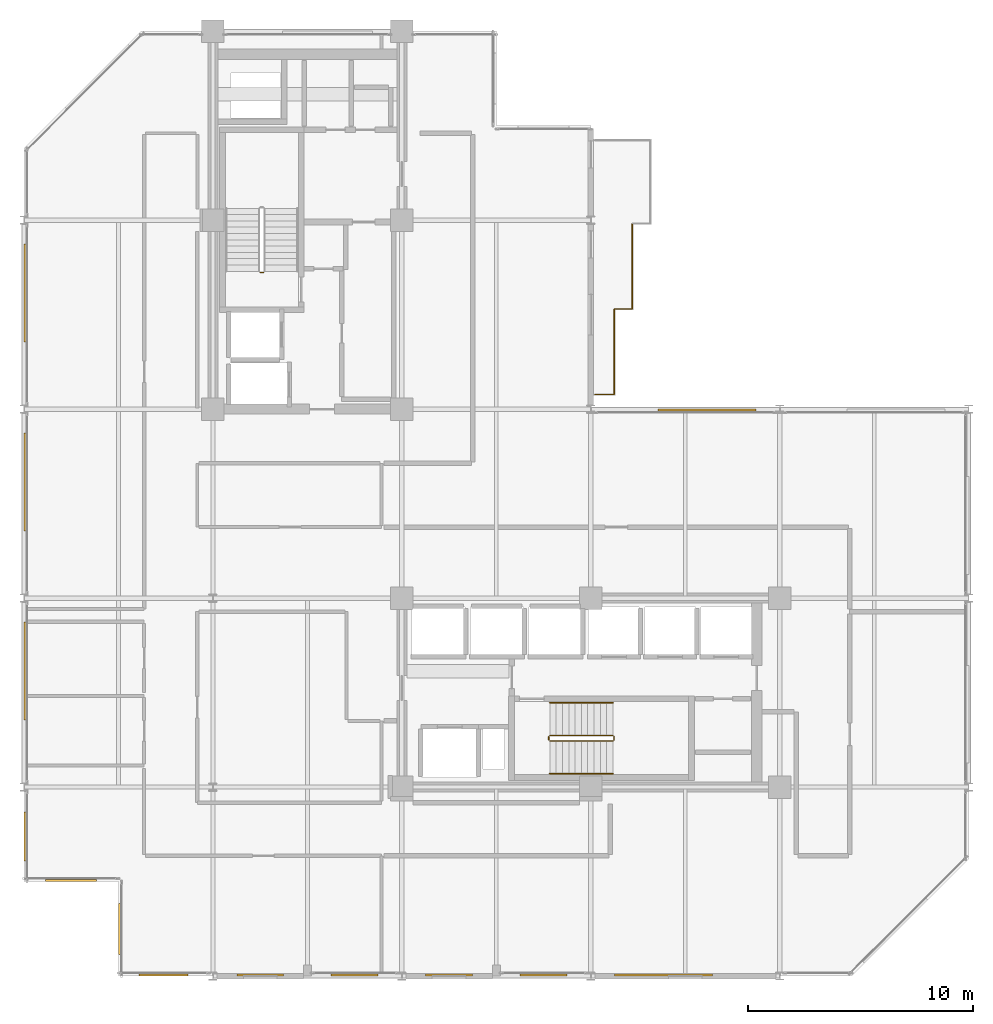
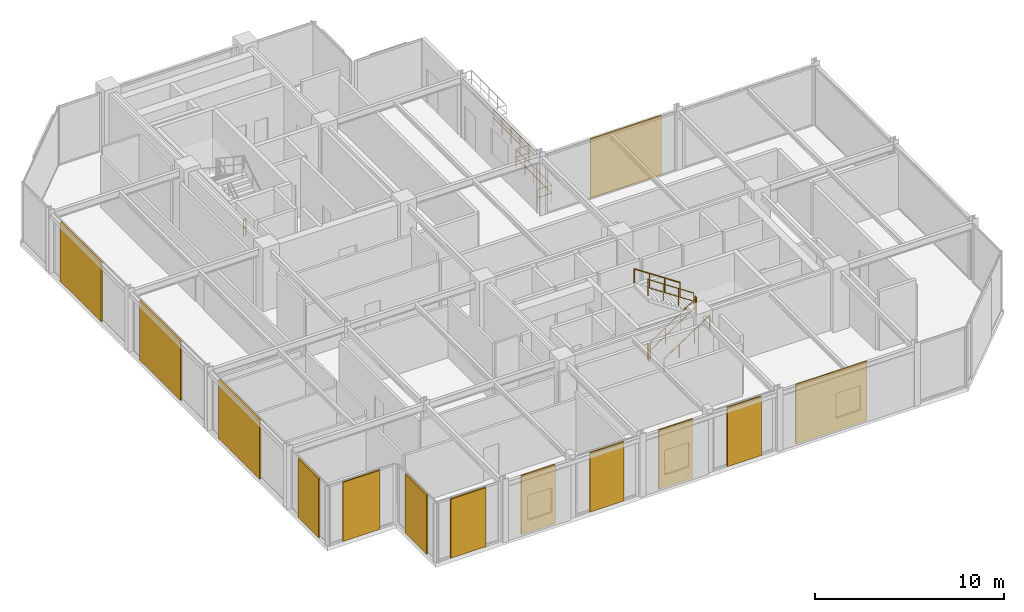
# One storey, part 23 of 25: 13 coverings, 11 railings.
"""IFC4 building model written with IfcOpenShell, lengths in metres."""

import ifcopenshell
import ifcopenshell.guid

model = None  # the IFC model being written
_history = None  # IfcOwnerHistory: only IFC2X3 demands one
_inside = {}  # id of a spatial element -> (the spatial element, [elements in it])
_under = {}  # id of a project, library or spatial element -> (it, [spatial elements below it])
_declared = {}  # id of a project -> (the project, [libraries it declares])
_typed = {}  # id of a type object -> (the type object, [elements of that type])
_made_of = {}  # id of a material, layer set ... -> (it, [elements and type objects made of it])


def new_model(schema):
    """Start an empty IFC model of exactly this schema.

    Asked for "IFC4X3", IfcOpenShell would pick the latest addendum, in which some entities
    have other attributes; the version numbers below select the first issue.
    IFC2X3 requires an IfcOwnerHistory on every rooted entity: one is made here for all.
    """
    global model, _history
    if schema == "IFC4X3":
        model = ifcopenshell.file(schema_version=(4, 3, 0, 0))
    else:
        model = ifcopenshell.file(schema=schema)
    _inside.clear()
    _under.clear()
    _declared.clear()
    _typed.clear()
    _made_of.clear()
    _history = None
    if model.schema == "IFC2X3":
        org = make("IfcOrganization", Name="unknown")
        user = make(
            "IfcPersonAndOrganization",
            ThePerson=make("IfcPerson", FamilyName="unknown"),
            TheOrganization=org,
        )
        app = make(
            "IfcApplication",
            ApplicationDeveloper=org,
            Version="unknown",
            ApplicationFullName="unknown",
            ApplicationIdentifier="unknown",
        )
        _history = make(
            "IfcOwnerHistory",
            OwningUser=user,
            OwningApplication=app,
            ChangeAction="ADDED",
            CreationDate=0,
        )
    return model


def make(cls, **values):
    """One entity of the class cls with the attributes given. An attribute that is None is left unset."""
    return model.create_entity(
        cls, **{name: value for name, value in values.items() if value is not None}
    )


def rooted(cls, **values):
    """An entity with a GlobalId (a new one), such as an element, a storey or a relation."""
    return make(cls, GlobalId=ifcopenshell.guid.new(), OwnerHistory=_history, **values)


def si_unit(unit_type, name, prefix=None):
    """IfcSIUnit, for example si_unit("LENGTHUNIT", "METRE", prefix="MILLI")."""
    return make("IfcSIUnit", UnitType=unit_type, Prefix=prefix, Name=name)


def assignment(units):
    """IfcUnitAssignment: the units of a project."""
    return None if units is None else make("IfcUnitAssignment", Units=units)


def point(xyz):
    """IfcCartesianPoint."""
    return None if xyz is None else make("IfcCartesianPoint", Coordinates=xyz)


def direction(xyz):
    """IfcDirection."""
    return None if xyz is None else make("IfcDirection", DirectionRatios=xyz)


def frame(location, z_axis=None, x_axis=None):
    """IfcAxis2Placement3D, a coordinate frame: its origin and axes. An axis left out is left unset."""
    return make(
        "IfcAxis2Placement3D",
        Location=point(location),
        Axis=direction(z_axis),
        RefDirection=direction(x_axis),
    )


def frame_2d(location, x_axis=None):
    """IfcAxis2Placement2D, a coordinate frame in the plane: its origin and x axis."""
    return make(
        "IfcAxis2Placement2D", Location=point(location), RefDirection=direction(x_axis)
    )


def origin():
    """The frame at (0, 0, 0) with its axes left unset."""
    return frame((0.0, 0.0, 0.0))


def origin_2d():
    """The frame at (0, 0) in the plane with its x axis left unset."""
    return frame_2d((0.0, 0.0))


def place(relative_to, where):
    """IfcLocalPlacement: puts the frame where relative to a parent placement (None: the world)."""
    return make(
        "IfcLocalPlacement", PlacementRelTo=relative_to, RelativePlacement=where
    )


def context(
    kind, dimensions, precision=None, world=None, true_north=None, identifier=None
):
    """IfcGeometricRepresentationContext, for example the 3D "Model" context."""
    return make(
        "IfcGeometricRepresentationContext",
        ContextIdentifier=identifier,
        ContextType=kind,
        CoordinateSpaceDimension=dimensions,
        Precision=precision,
        WorldCoordinateSystem=world,
        TrueNorth=true_north,
    )


def subcontext(parent, identifier, kind, view, scale=None):
    """IfcGeometricRepresentationSubContext, for example "Body" below "Model"."""
    return make(
        "IfcGeometricRepresentationSubContext",
        ContextIdentifier=identifier,
        ContextType=kind,
        ParentContext=parent,
        TargetScale=scale,
        TargetView=view,
    )


def project(units=None, contexts=None):
    """IfcProject with its units and contexts."""
    return rooted(
        "IfcProject",
        Name="project",
        RepresentationContexts=contexts,
        UnitsInContext=assignment(units),
    )


def spatial(cls, under=None, at=None, **own):
    """A site, building, storey or space (cls), placed at a placement, below another one or the project."""
    s = rooted(cls, ObjectPlacement=at, **own)
    if under is not None:
        _under.setdefault(under.id(), (under, []))[1].append(s)
    return s


def profile(cls, at=None, kind="AREA", **sizes):
    """A parametric profile (cls). Its sizes go by their IFC names, for example OverallWidth=200.0."""
    return make(cls, ProfileType=kind, Position=at, **sizes)


def rectangle(**sizes):
    """IfcRectangleProfileDef."""
    return profile("IfcRectangleProfileDef", **sizes)


def circle(**sizes):
    """IfcCircleProfileDef."""
    return profile("IfcCircleProfileDef", **sizes)


def extrude(swept, where, along, depth):
    """IfcExtrudedAreaSolid: the profile swept, set in the frame where, extruded along a direction by depth."""
    return make(
        "IfcExtrudedAreaSolid",
        SweptArea=swept,
        Position=where,
        ExtrudedDirection=direction(along),
        Depth=depth,
    )


def shape(context_of_items, identifier, shape_type, items):
    """IfcShapeRepresentation: the items that make up one representation, for example the "Body"."""
    return make(
        "IfcShapeRepresentation",
        ContextOfItems=context_of_items,
        RepresentationIdentifier=identifier,
        RepresentationType=shape_type,
        Items=items,
    )


def material(Name=None, Category=None):
    """IfcMaterial."""
    return make("IfcMaterial", Name=Name, Category=Category)


def layer(
    of_material, thickness, ventilated=None, Name=None, Category=None, Priority=None
):
    """IfcMaterialLayer: one layer of a wall or slab, of a material (None: an air gap)."""
    return make(
        "IfcMaterialLayer",
        Material=of_material,
        LayerThickness=thickness,
        IsVentilated=ventilated,
        Name=Name,
        Category=Category,
        Priority=Priority,
    )


def layer_set(layers, Name=None):
    """IfcMaterialLayerSet."""
    return make("IfcMaterialLayerSet", MaterialLayers=layers, LayerSetName=Name)


def made_of(thing, what):
    """Note that an element or type object is made of a material, layer set ...; save() writes the relation."""
    if what is not None:
        _made_of.setdefault(what.id(), (what, []))[1].append(thing)
    return thing


def type_object(cls, material=None, **own):
    """A type object (cls), such as IfcWallType, which elements share."""
    return made_of(rooted(cls, **own), material)


def element(
    cls,
    number,
    at=None,
    inside=None,
    cuts=None,
    type_object=None,
    material=None,
    context=None,
    identifier="Body",
    shape_type=None,
    held_by="IfcProductDefinitionShape",
    body=None,
    shapes=None,
    **own,
):
    """One element of the class cls, such as IfcWall. Its Tag is "e" and its number.

    at: its placement. inside: the storey or other place that contains it. cuts: it is an
    opening in that element (IfcRelVoidsElement). A single representation is given by context,
    identifier, shape_type and body (its items); several are given by shapes. held_by: the class
    of the entity that holds the representations. save() writes the other relations.
    """
    e = rooted(cls, Tag="e%d" % number, ObjectPlacement=at, **own)
    if body is not None:
        shapes = [shape(context, identifier, shape_type, body)]
    if shapes is not None:
        e.Representation = make(held_by, Representations=shapes)
    if inside is not None:
        _inside.setdefault(inside.id(), (inside, []))[1].append(e)
    if cuts is not None:
        rooted(
            "IfcRelVoidsElement", RelatingBuildingElement=cuts, RelatedOpeningElement=e
        )
    if type_object is not None:
        _typed.setdefault(type_object.id(), (type_object, []))[1].append(e)
    return made_of(e, material)


def aggregate(whole, parts):
    """IfcRelAggregates: a whole, such as a stair, and the parts it consists of."""
    return rooted("IfcRelAggregates", RelatingObject=whole, RelatedObjects=parts)


def save(model, path):
    """Write the relations noted so far, then the file.

    IfcRelAggregates (storeys below a building ...), IfcRelContainedInSpatialStructure (elements
    in a storey), IfcRelDefinesByType, IfcRelAssociatesMaterial and IfcRelDeclares: one each for
    every whole, place, type object, material and project.
    """
    for whole, parts in _under.values():
        aggregate(whole, parts)
    for where, things in _inside.values():
        rooted(
            "IfcRelContainedInSpatialStructure",
            RelatedElements=things,
            RelatingStructure=where,
        )
    for kind, things in _typed.values():
        rooted("IfcRelDefinesByType", RelatedObjects=things, RelatingType=kind)
    for what, things in _made_of.values():
        rooted("IfcRelAssociatesMaterial", RelatedObjects=things, RelatingMaterial=what)
    for by, libraries in _declared.values():
        rooted("IfcRelDeclares", RelatingContext=by, RelatedDefinitions=libraries)
    model.write(path)


model = new_model("IFC4")

# Units and contexts
model_context = context("Model", 3, precision=1e-05, world=origin(), true_north=direction((0.0, 1.0)))
body_context = subcontext(model_context, "Body", "Model", "MODEL_VIEW")
ifc_project = project(units=[si_unit("LENGTHUNIT", "METRE"), si_unit("AREAUNIT", "SQUARE_METRE"), si_unit("VOLUMEUNIT", "CUBIC_METRE"), si_unit("PLANEANGLEUNIT", "RADIAN"), si_unit("MASSUNIT", "GRAM", prefix="KILO")], contexts=[model_context])

# Site, building, storey
site_placement = place(None, origin())
site = spatial("IfcSite", under=ifc_project, at=site_placement, CompositionType="ELEMENT")
building_placement = place(site_placement, origin())
building = spatial("IfcBuilding", under=site, at=building_placement, Name="Nerrivon Quay Data Exchange", CompositionType="ELEMENT")
storey_placement = place(building_placement, frame((0.0, 0.0, 224.699951171875)))
storey = spatial("IfcBuildingStorey", under=building, at=storey_placement, Name="L53", CompositionType="ELEMENT", Elevation=224.699951171875)

# Coverings
ifc_material_1 = material(Name="Architectural terracotta ceramic", Category="masonry")
ifc_layer = layer(ifc_material_1, 0.090087890625)
ifc_layer_set = layer_set([ifc_layer], Name="Architectural terracotta ceramic")
covering_type = type_object("IfcCoveringType", Name="COV-SCR-TERR", PredefinedType="CLADDING", material=ifc_layer_set)
covering_1_placement = place(storey_placement, frame((28.43408203125, 0.044921875, 0.0), z_axis=(0.0, 0.0, 1.0), x_axis=(-1.0, 0.0, 0.0)))
element("IfcCovering", 1, at=covering_1_placement, inside=storey, type_object=covering_type, Name="L53 Perforated Terracotta SOLAR SCREEN Cassette", PredefinedType="CLADDING", context=body_context, shape_type="SweptSolid", body=[
    extrude(rectangle(XDim=4.346923828125, YDim=0.090087890625, at=origin_2d()), origin(), (0.0, 0.0, 1.0), 3.824951171875),
])
for number, where, z_axis, x_axis, name in (
    (2, (23.10009765625, 0.044921875, 0.0), (0.0, 0.0, 1.0), (-1.0, 0.0, 0.0), "L53 Perforated Terracotta SOLAR SCREEN Cassette"),
    (3, (18.89990234375, 0.044921875, 0.0), (0.0, 0.0, 1.0), (-1.0, 0.0, 0.0), "L53 Perforated Terracotta SOLAR SCREEN Cassette"),
    (4, (14.699951171875, 0.044921875, 0.0), (0.0, 0.0, 1.0), (-1.0, 0.0, 0.0), "L53 Perforated Terracotta SOLAR SCREEN Cassette"),
    (5, (10.5, 0.044921875, 0.0), (0.0, 0.0, 1.0), (-1.0, 0.0, 0.0), "L53 Perforated Terracotta SOLAR SCREEN Cassette"),
):
    element("IfcCovering", number, at=place(storey_placement, frame(where, z_axis=z_axis, x_axis=x_axis)), inside=storey, type_object=covering_type, Name=name, PredefinedType="CLADDING", context=body_context, shape_type="SweptSolid", body=[
        extrude(rectangle(XDim=2.0791015625, YDim=0.090087890625, at=origin_2d()), origin(), (0.0, 0.0, 1.0), 3.824951171875),
    ])
covering_2_placement = place(storey_placement, frame((6.21240234375, 0.044921875, 0.0), z_axis=(0.0, 0.0, 1.0), x_axis=(-1.0, 0.0, 0.0)))
element("IfcCovering", 6, at=covering_2_placement, inside=storey, type_object=covering_type, Name="L53 Perforated Terracotta SOLAR SCREEN Cassette", PredefinedType="CLADDING", context=body_context, shape_type="SweptSolid", body=[
    extrude(rectangle(XDim=2.173095703125, YDim=0.090087890625, at=origin_2d()), origin(), (0.0, 0.0, 1.0), 3.824951171875),
])
for number, where, z_axis, x_axis, name in (
    (7, (4.2451171875, 2.10009765625, 0.0), (0.0, 0.0, 1.0), (0.0, 1.0, 0.0), "L53 Perforated Terracotta SOLAR SCREEN Cassette"),
    (8, (2.10009765625, 4.2451171875, 0.0), (0.0, 0.0, 1.0), (-1.0, 0.0, 0.0), "L53 Perforated Terracotta SOLAR SCREEN Cassette"),
):
    element("IfcCovering", number, at=place(storey_placement, frame(where, z_axis=z_axis, x_axis=x_axis)), inside=storey, type_object=covering_type, Name=name, PredefinedType="CLADDING", context=body_context, shape_type="SweptSolid", body=[
        extrude(rectangle(XDim=2.26806640625, YDim=0.090087890625, at=origin_2d()), origin(), (0.0, 0.0, 1.0), 3.824951171875),
    ])
covering_3_placement = place(storey_placement, frame((0.044921875, 6.21240234375, 0.0), z_axis=(0.0, 0.0, 1.0), x_axis=(0.0, 1.0, 0.0)))
element("IfcCovering", 9, at=covering_3_placement, inside=storey, type_object=covering_type, Name="L53 Perforated Terracotta SOLAR SCREEN Cassette", PredefinedType="CLADDING", context=body_context, shape_type="SweptSolid", body=[
    extrude(rectangle(XDim=2.173095703125, YDim=0.090087890625, at=origin_2d()), origin(), (0.0, 0.0, 1.0), 3.824951171875),
])
for number, where, z_axis, x_axis, name in (
    (10, (0.044921875, 13.56591796875, 0.0), (0.0, 0.0, 1.0), (0.0, 1.0, 0.0), "L53 Perforated Terracotta SOLAR SCREEN Cassette"),
    (11, (0.044921875, 21.966064453125, 0.0), (0.0, 0.0, 1.0), (0.0, 1.0, 0.0), "L53 Perforated Terracotta SOLAR SCREEN Cassette"),
    (12, (0.044921875, 30.365966796875, 0.0), (0.0, 0.0, 1.0), (0.0, 1.0, 0.0), "L53 Perforated Terracotta SOLAR SCREEN Cassette"),
    (13, (30.365966796875, 25.155029296875, 0.0), (0.0, 0.0, 1.0), (1.0, 0.0, 0.0), "L53 Perforated Terracotta SOLAR SCREEN Cassette"),
):
    element("IfcCovering", number, at=place(storey_placement, frame(where, z_axis=z_axis, x_axis=x_axis)), inside=storey, type_object=covering_type, Name=name, PredefinedType="CLADDING", context=body_context, shape_type="SweptSolid", body=[
        extrude(rectangle(XDim=4.346923828125, YDim=0.090087890625, at=origin_2d()), origin(), (0.0, 0.0, 1.0), 3.824951171875),
    ])

# Railings
ifc_material_2 = material(Name="Steel Grade C350L0 (350 MPa)", Category="steel")
railing_type_1 = type_object("IfcRailingType", Name="RAIL-GUARD-GR2", PredefinedType="BALUSTRADE", material=ifc_material_2)
railing_1_placement = place(storey_placement, frame((26.239990234375, 29.659912109375, 0.0)))
element("IfcRailing", 14, at=railing_1_placement, inside=storey, type_object=railing_type_1, Name="L53 Verandah Balcony Guard 1.1 1", PredefinedType="BALUSTRADE", context=body_context, shape_type="SweptSolid", body=[
    extrude(circle(Radius=0.02392578125, at=origin_2d()), frame((0.0, 0.0, 1.09619140625), z_axis=(0.0, -1.0, 0.0), x_axis=(1.0, 0.0, 0.0)), (0.0, 0.0, 1.0), 3.7998046875),
    extrude(circle(Radius=0.02392578125, at=origin_2d()), frame((0.0, 0.0, 0.56005859375), z_axis=(0.0, -1.0, 0.0), x_axis=(1.0, 0.0, 0.0)), (0.0, 0.0, 1.0), 3.7998046875),
    extrude(circle(Radius=0.02099609375, at=origin_2d()), origin(), (0.0, 0.0, 1.0), 1.072021484375),
    extrude(circle(Radius=0.02099609375, at=origin_2d()), frame((0.0, -0.949951171875, 0.0)), (0.0, 0.0, 1.0), 1.072021484375),
    extrude(circle(Radius=0.02099609375, at=origin_2d()), frame((0.0, -1.89990234375, 0.0)), (0.0, 0.0, 1.0), 1.072021484375),
    extrude(circle(Radius=0.02099609375, at=origin_2d()), frame((0.0, -2.849853515625, 0.0)), (0.0, 0.0, 1.0), 1.072021484375),
    extrude(circle(Radius=0.02099609375, at=origin_2d()), frame((0.0, -3.7998046875, 0.0)), (0.0, 0.0, 1.0), 1.072021484375),
])
railing_2_placement = place(storey_placement, frame((26.239990234375, 25.860107421875, 0.0)))
element("IfcRailing", 15, at=railing_2_placement, inside=storey, type_object=railing_type_1, Name="L53 Verandah Balcony Guard 1.2 1", PredefinedType="BALUSTRADE", context=body_context, shape_type="SweptSolid", body=[
    extrude(circle(Radius=0.02392578125, at=origin_2d()), frame((0.0, 0.0, 1.09619140625), z_axis=(-1.0, 0.0, 0.0), x_axis=(0.0, -1.0, 0.0)), (0.0, 0.0, 1.0), 0.860107421875),
    extrude(circle(Radius=0.02392578125, at=origin_2d()), frame((0.0, 0.0, 0.56005859375), z_axis=(-1.0, 0.0, 0.0), x_axis=(0.0, -1.0, 0.0)), (0.0, 0.0, 1.0), 0.860107421875),
    extrude(circle(Radius=0.02099609375, at=origin_2d()), origin(), (0.0, 0.0, 1.0), 1.072021484375),
    extrude(circle(Radius=0.02099609375, at=origin_2d()), frame((-0.860107421875, 0.0, 0.0)), (0.0, 0.0, 1.0), 1.072021484375),
])
railing_3_placement = place(storey_placement, frame((27.0400390625, 33.4599609375, 0.0)))
element("IfcRailing", 16, at=railing_3_placement, inside=storey, type_object=railing_type_1, Name="L53 Verandah Balcony Guard 1.6 1", PredefinedType="BALUSTRADE", context=body_context, shape_type="SweptSolid", body=[
    extrude(circle(Radius=0.02392578125, at=origin_2d()), frame((0.0, 0.0, 1.09619140625), z_axis=(0.0, -1.0, 0.0), x_axis=(1.0, 0.0, 0.0)), (0.0, 0.0, 1.0), 3.800048828125),
    extrude(circle(Radius=0.02392578125, at=origin_2d()), frame((0.0, 0.0, 0.56005859375), z_axis=(0.0, -1.0, 0.0), x_axis=(1.0, 0.0, 0.0)), (0.0, 0.0, 1.0), 3.800048828125),
    extrude(circle(Radius=0.02099609375, at=origin_2d()), origin(), (0.0, 0.0, 1.0), 1.072021484375),
    extrude(circle(Radius=0.02099609375, at=origin_2d()), frame((0.0, -0.949951171875, 0.0)), (0.0, 0.0, 1.0), 1.072021484375),
    extrude(circle(Radius=0.02099609375, at=origin_2d()), frame((0.0, -1.89990234375, 0.0)), (0.0, 0.0, 1.0), 1.072021484375),
    extrude(circle(Radius=0.02099609375, at=origin_2d()), frame((0.0, -2.85009765625, 0.0)), (0.0, 0.0, 1.0), 1.072021484375),
    extrude(circle(Radius=0.02099609375, at=origin_2d()), frame((0.0, -3.800048828125, 0.0)), (0.0, 0.0, 1.0), 1.072021484375),
])
railing_4_placement = place(storey_placement, frame((27.0400390625, 29.659912109375, 0.0)))
element("IfcRailing", 17, at=railing_4_placement, inside=storey, type_object=railing_type_1, Name="L53 Verandah Balcony Guard 1.7 1", PredefinedType="BALUSTRADE", context=body_context, shape_type="SweptSolid", body=[
    extrude(circle(Radius=0.02392578125, at=origin_2d()), frame((0.0, 0.0, 1.09619140625), z_axis=(-1.0, 0.0, 0.0), x_axis=(0.0, -1.0, 0.0)), (0.0, 0.0, 1.0), 0.800048828125),
    extrude(circle(Radius=0.02392578125, at=origin_2d()), frame((0.0, 0.0, 0.56005859375), z_axis=(-1.0, 0.0, 0.0), x_axis=(0.0, -1.0, 0.0)), (0.0, 0.0, 1.0), 0.800048828125),
    extrude(circle(Radius=0.02099609375, at=origin_2d()), origin(), (0.0, 0.0, 1.0), 1.072021484375),
    extrude(circle(Radius=0.02099609375, at=origin_2d()), frame((-0.800048828125, 0.0, 0.0)), (0.0, 0.0, 1.0), 1.072021484375),
])
railing_type_2 = type_object("IfcRailingType", Name="RAIL-HAND-HR1", PredefinedType="HANDRAIL", material=ifc_material_2)
railing_5_placement = place(storey_placement, frame((23.3798828125, 9.0, 0.1865234375)))
element("IfcRailing", 18, at=railing_5_placement, inside=storey, type_object=railing_type_2, Name="L53 ST02 stair handrail 1", PredefinedType="HANDRAIL", context=body_context, shape_type="SweptSolid", body=[
    extrude(circle(Radius=0.02392578125, at=origin_2d()), frame((0.0, 0.0, 0.8759765625), z_axis=(0.832485552168, 0.0, 0.554046753832), x_axis=(0.0, 1.0, 0.0)), (0.0, 0.0, 1.0), 3.363525390625),
    extrude(circle(Radius=0.02099609375, at=origin_2d()), origin(), (0.0, 0.0, 1.0), 0.851806640625),
    extrude(circle(Radius=0.02099609375, at=origin_2d()), frame((0.933349609375, 0.0, 0.62109375)), (0.0, 0.0, 1.0), 0.851806640625),
    extrude(circle(Radius=0.02099609375, at=origin_2d()), frame((1.86669921875, 0.0, 1.242431640625)), (0.0, 0.0, 1.0), 0.851806640625),
    extrude(circle(Radius=0.02099609375, at=origin_2d()), frame((2.800048828125, 0.0, 1.863525390625)), (0.0, 0.0, 1.0), 0.851806640625),
])
railing_6_placement = place(storey_placement, frame((26.179931640625, 12.14990234375, 2.236328125)))
element("IfcRailing", 19, at=railing_6_placement, inside=storey, type_object=railing_type_2, Name="L53 ST02 stair handrail 2", PredefinedType="HANDRAIL", context=body_context, shape_type="SweptSolid", body=[
    extrude(circle(Radius=0.02392578125, at=origin_2d()), frame((0.0, 0.0, 0.8759765625), z_axis=(-0.832452072856, 0.0, 0.554097055034), x_axis=(0.0, -1.0, 0.0)), (0.0, 0.0, 1.0), 3.363525390625),
    extrude(circle(Radius=0.02099609375, at=origin_2d()), origin(), (0.0, 0.0, 1.0), 0.851806640625),
    extrude(circle(Radius=0.02099609375, at=origin_2d()), frame((-0.933349609375, 0.0, 0.621337890625)), (0.0, 0.0, 1.0), 0.851806640625),
    extrude(circle(Radius=0.02099609375, at=origin_2d()), frame((-1.86669921875, 0.0, 1.242431640625)), (0.0, 0.0, 1.0), 0.851806640625),
    extrude(circle(Radius=0.02099609375, at=origin_2d()), frame((-2.800048828125, 0.0, 1.86376953125)), (0.0, 0.0, 1.0), 0.851806640625),
])
railing_type_3 = type_object("IfcRailingType", Name="RAIL-STAIR-GR1", PredefinedType="BALUSTRADE", material=ifc_material_2)
railing_7_placement = place(storey_placement, frame((10.64990234375, 31.280029296875, 0.0)))
element("IfcRailing", 20, at=railing_7_placement, inside=storey, type_object=railing_type_3, Name="L53 ST01 stair guard 4", PredefinedType="BALUSTRADE", context=body_context, shape_type="SweptSolid", body=[
    extrude(circle(Radius=0.02392578125, at=origin_2d()), frame((0.0, 0.0, 1.076171875), z_axis=(-1.0, 0.0, 0.0), x_axis=(0.0, -1.0, 0.0)), (0.0, 0.0, 1.0), 0.14990234375),
    extrude(circle(Radius=0.02392578125, at=origin_2d()), frame((0.0, 0.0, 0.550048828125), z_axis=(-1.0, 0.0, 0.0), x_axis=(0.0, -1.0, 0.0)), (0.0, 0.0, 1.0), 0.14990234375),
    extrude(circle(Radius=0.02099609375, at=origin_2d()), origin(), (0.0, 0.0, 1.0), 1.052001953125),
    extrude(circle(Radius=0.02099609375, at=origin_2d()), frame((-0.14990234375, 0.0, 0.0)), (0.0, 0.0, 1.0), 1.052001953125),
])
railing_8_placement = place(storey_placement, frame((23.3798828125, 10.449951171875, 0.1865234375)))
element("IfcRailing", 21, at=railing_8_placement, inside=storey, type_object=railing_type_3, Name="L53 ST02 stair guard 1", PredefinedType="BALUSTRADE", context=body_context, shape_type="SweptSolid", body=[
    extrude(circle(Radius=0.02392578125, at=origin_2d()), frame((0.0, 0.0, 1.076171875), z_axis=(0.832485552168, 0.0, 0.554046753832), x_axis=(0.0, 1.0, 0.0)), (0.0, 0.0, 1.0), 3.363525390625),
    extrude(circle(Radius=0.02392578125, at=origin_2d()), frame((0.0, 0.0, 0.550048828125), z_axis=(0.832485552168, 0.0, 0.554046753832), x_axis=(0.0, 1.0, 0.0)), (0.0, 0.0, 1.0), 3.363525390625),
    extrude(circle(Radius=0.02099609375, at=origin_2d()), origin(), (0.0, 0.0, 1.0), 1.052001953125),
    extrude(circle(Radius=0.02099609375, at=origin_2d()), frame((0.933349609375, 0.0, 0.62109375)), (0.0, 0.0, 1.0), 1.052001953125),
    extrude(circle(Radius=0.02099609375, at=origin_2d()), frame((1.86669921875, 0.0, 1.242431640625)), (0.0, 0.0, 1.0), 1.052001953125),
    extrude(circle(Radius=0.02099609375, at=origin_2d()), frame((2.800048828125, 0.0, 1.863525390625)), (0.0, 0.0, 1.0), 1.052001953125),
])
railing_9_placement = place(storey_placement, frame((26.22998046875, 10.5, 2.050048828125)))
element("IfcRailing", 22, at=railing_9_placement, inside=storey, type_object=railing_type_3, Name="L53 ST02 stair guard 2", PredefinedType="BALUSTRADE", context=body_context, shape_type="SweptSolid", body=[
    extrude(circle(Radius=0.02392578125, at=origin_2d()), frame((0.0, 0.0, 1.076171875), z_axis=(0.0, 1.0, 0.0), x_axis=(-1.0, 0.0, 0.0)), (0.0, 0.0, 1.0), 0.14990234375),
    extrude(circle(Radius=0.02392578125, at=origin_2d()), frame((0.0, 0.0, 0.550048828125), z_axis=(0.0, 1.0, 0.0), x_axis=(-1.0, 0.0, 0.0)), (0.0, 0.0, 1.0), 0.14990234375),
    extrude(circle(Radius=0.02099609375, at=origin_2d()), origin(), (0.0, 0.0, 1.0), 1.052001953125),
    extrude(circle(Radius=0.02099609375, at=origin_2d()), frame((0.0, 0.14990234375, 0.0)), (0.0, 0.0, 1.0), 1.052001953125),
])
railing_10_placement = place(storey_placement, frame((26.179931640625, 10.699951171875, 2.236328125)))
element("IfcRailing", 23, at=railing_10_placement, inside=storey, type_object=railing_type_3, Name="L53 ST02 stair guard 3", PredefinedType="BALUSTRADE", context=body_context, shape_type="SweptSolid", body=[
    extrude(circle(Radius=0.02392578125, at=origin_2d()), frame((0.0, 0.0, 1.076171875), z_axis=(-0.832452072856, 0.0, 0.554097055034), x_axis=(0.0, -1.0, 0.0)), (0.0, 0.0, 1.0), 3.363525390625),
    extrude(circle(Radius=0.02392578125, at=origin_2d()), frame((0.0, 0.0, 0.550048828125), z_axis=(-0.832452072856, 0.0, 0.554097055034), x_axis=(0.0, -1.0, 0.0)), (0.0, 0.0, 1.0), 3.363525390625),
    extrude(circle(Radius=0.02099609375, at=origin_2d()), origin(), (0.0, 0.0, 1.0), 1.052001953125),
    extrude(circle(Radius=0.02099609375, at=origin_2d()), frame((-0.933349609375, 0.0, 0.621337890625)), (0.0, 0.0, 1.0), 1.052001953125),
    extrude(circle(Radius=0.02099609375, at=origin_2d()), frame((-1.86669921875, 0.0, 1.242431640625)), (0.0, 0.0, 1.0), 1.052001953125),
    extrude(circle(Radius=0.02099609375, at=origin_2d()), frame((-2.800048828125, 0.0, 1.86376953125)), (0.0, 0.0, 1.0), 1.052001953125),
])
railing_11_placement = place(storey_placement, frame((23.330078125, 10.5, 0.0)))
element("IfcRailing", 24, at=railing_11_placement, inside=storey, type_object=railing_type_3, Name="L53 ST02 stair guard 4", PredefinedType="BALUSTRADE", context=body_context, shape_type="SweptSolid", body=[
    extrude(circle(Radius=0.02392578125, at=origin_2d()), frame((0.0, 0.0, 1.076171875), z_axis=(0.0, 1.0, 0.0), x_axis=(-1.0, 0.0, 0.0)), (0.0, 0.0, 1.0), 0.14990234375),
    extrude(circle(Radius=0.02392578125, at=origin_2d()), frame((0.0, 0.0, 0.550048828125), z_axis=(0.0, 1.0, 0.0), x_axis=(-1.0, 0.0, 0.0)), (0.0, 0.0, 1.0), 0.14990234375),
    extrude(circle(Radius=0.02099609375, at=origin_2d()), origin(), (0.0, 0.0, 1.0), 1.052001953125),
    extrude(circle(Radius=0.02099609375, at=origin_2d()), frame((0.0, 0.14990234375, 0.0)), (0.0, 0.0, 1.0), 1.052001953125),
])

save(model, "model.ifc")
